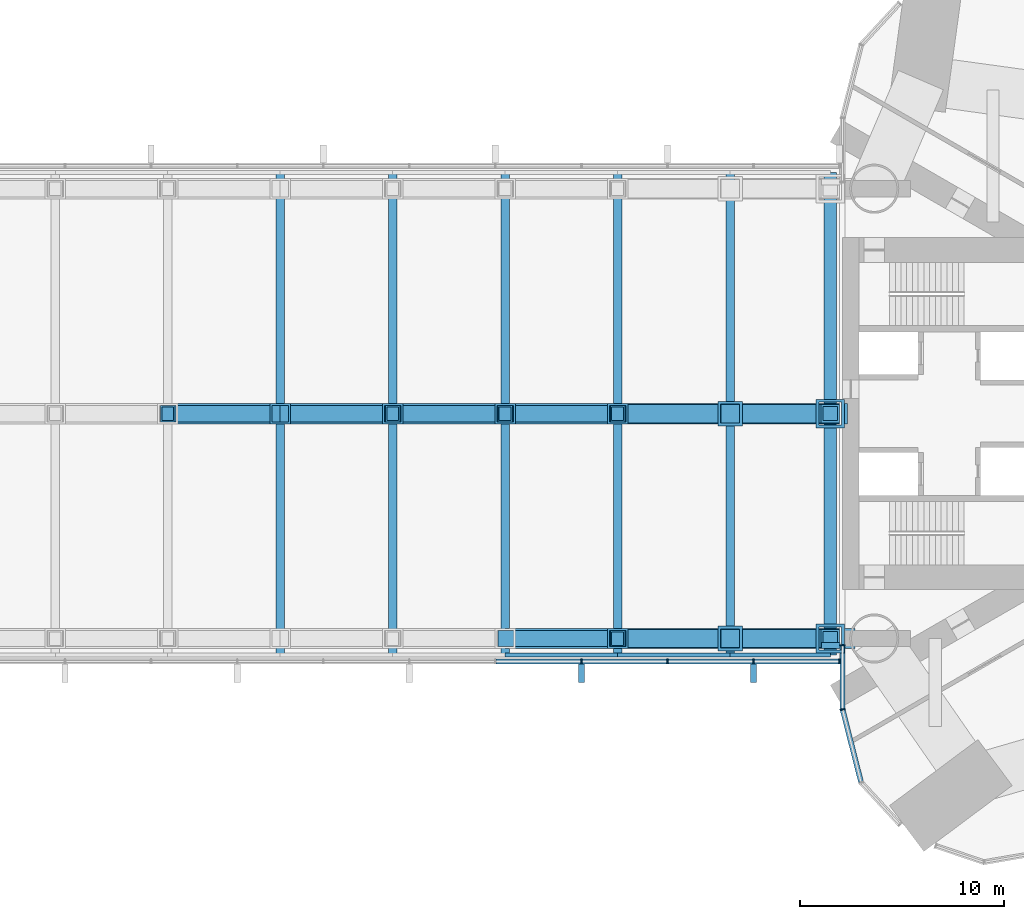
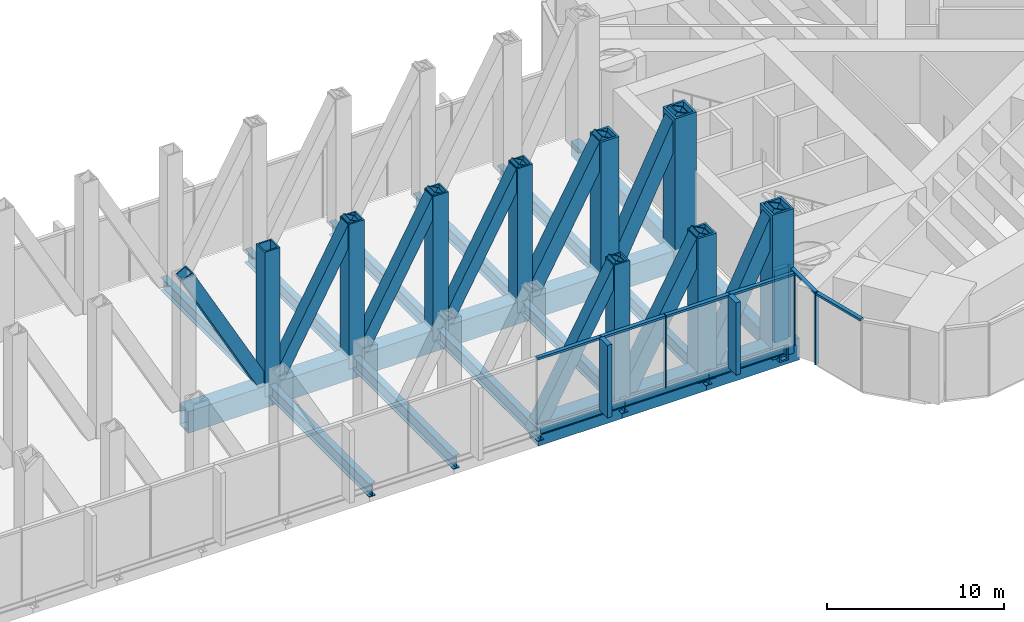
# One storey, part 8 of 21: 42 members, 15 beams, 2 elements without a shape of their own.
"""IFC4 building model written with IfcOpenShell, lengths in metres."""

from ifc_helpers import new_model, si_unit, direction, frame, origin, origin_2d, place, context, subcontext, project, spatial, rectangle, hollow_rectangle, i_section, extrude, material, material_profile, profile_set, type_object, element, aggregate, save


model = new_model("IFC4")

# Units and contexts
model_context = context("Model", 3, precision=1e-05, world=origin(), true_north=direction((0.0, 1.0)))
body_context = subcontext(model_context, "Body", "Model", "MODEL_VIEW")
ifc_project = project(units=[si_unit("LENGTHUNIT", "METRE"), si_unit("AREAUNIT", "SQUARE_METRE"), si_unit("VOLUMEUNIT", "CUBIC_METRE"), si_unit("PLANEANGLEUNIT", "RADIAN"), si_unit("MASSUNIT", "GRAM", prefix="KILO")], contexts=[model_context])

# Site, building, storey
site_placement = place(None, origin())
site = spatial("IfcSite", under=ifc_project, at=site_placement, CompositionType="ELEMENT")
building_placement = place(site_placement, origin())
building = spatial("IfcBuilding", under=site, at=building_placement, Name="Lancet Gate Hotel", CompositionType="ELEMENT")
storey_placement = place(building_placement, frame((0.0, 0.0, 205.300048828125)))
storey = spatial("IfcBuildingStorey", under=building, at=storey_placement, Name="L55", CompositionType="ELEMENT", Elevation=205.300048828125)

# Curtain wall, members
ifc_material_1 = material(Name="Aluminium curtain wall", Category="aluminium")
curtain_wall_type = type_object("IfcCurtainWallType", Name="Refuge storey louvred curtain wall", PredefinedType="USERDEFINED", material=ifc_material_1)
curtain_wall_1_placement = place(storey_placement, origin())
curtain_wall_1 = element("IfcCurtainWall", 1, at=curtain_wall_1_placement, inside=storey, type_object=curtain_wall_type, Name="T2 L55 curtain wall 1", ObjectType="LANTERN GLAZING", PredefinedType="USERDEFINED")
ifc_material_2 = material(Name="Aluminium mullion", Category="aluminium")
ifc_material_profile_1 = material_profile(ifc_material_2, rectangle(XDim=0.06494140625, YDim=0.25, at=origin_2d()), Name="MULLION 65x250")
ifc_profile_set_1 = profile_set([ifc_material_profile_1], Name="Aluminium mullion")
member_type_1 = type_object("IfcMemberType", Name="Aluminium mullion 65x250", PredefinedType="MULLION", material=ifc_profile_set_1)
member_1_placement = place(storey_placement, frame((27.5, -11.332763671875, 0.0), z_axis=(0.0, 0.0, 1.0), x_axis=(0.0, -1.0, 0.0)))
member_1 = element("IfcMember", 2, at=member_1_placement, type_object=member_type_1, Name="T2 L55 curtain wall 1 mullion 1", PredefinedType="MULLION", context=body_context, shape_type="SweptSolid", body=[
    extrude(rectangle(XDim=0.06494140625, YDim=0.25, at=origin_2d()), origin(), (0.0, 0.0, 1.0), 5.0),
])
member_2_placement = place(storey_placement, frame((27.5, -14.465576171875, 0.0), z_axis=(0.0, 0.0, 1.0), x_axis=(0.134206524909, -0.990953383703, 0.0)))
member_2 = element("IfcMember", 3, at=member_2_placement, type_object=member_type_1, Name="T2 L55 curtain wall 1 mullion 2", PredefinedType="MULLION", context=body_context, shape_type="SweptSolid", body=[
    extrude(rectangle(XDim=0.06494140625, YDim=0.25, at=origin_2d()), origin(), (0.0, 0.0, 1.0), 5.0),
])

curtain_wall_2_placement = place(storey_placement, origin())
curtain_wall_2 = element("IfcCurtainWall", 4, at=curtain_wall_2_placement, inside=storey, type_object=curtain_wall_type, Name="Bridge block L55 curtain wall S", ObjectType="LANTERN GLAZING", PredefinedType="USERDEFINED")
member_3_placement = place(storey_placement, frame((14.726806640625, -12.1201171875, 0.0), z_axis=(0.0, 0.0, 1.0), x_axis=(1.0, 0.0, 0.0)))
member_3 = element("IfcMember", 5, at=member_3_placement, type_object=member_type_1, Name="Bridge block L55 curtain wall S mullion 11", PredefinedType="MULLION", context=body_context, shape_type="SweptSolid", body=[
    extrude(rectangle(XDim=0.06494140625, YDim=0.25, at=origin_2d()), origin(), (0.0, 0.0, 1.0), 5.0),
])
member_4_placement = place(storey_placement, frame((18.9345703125, -12.1201171875, 0.0), z_axis=(0.0, 0.0, 1.0), x_axis=(1.0, 0.0, 0.0)))
member_4 = element("IfcMember", 6, at=member_4_placement, type_object=member_type_1, Name="Bridge block L55 curtain wall S mullion 12", PredefinedType="MULLION", context=body_context, shape_type="SweptSolid", body=[
    extrude(rectangle(XDim=0.06494140625, YDim=0.25, at=origin_2d()), origin(), (0.0, 0.0, 1.0), 5.0),
])
member_5_placement = place(storey_placement, frame((23.142333984375, -12.1201171875, 0.0), z_axis=(0.0, 0.0, 1.0), x_axis=(1.0, 0.0, 0.0)))
member_5 = element("IfcMember", 7, at=member_5_placement, type_object=member_type_1, Name="Bridge block L55 curtain wall S mullion 13", PredefinedType="MULLION", context=body_context, shape_type="SweptSolid", body=[
    extrude(rectangle(XDim=0.06494140625, YDim=0.25, at=origin_2d()), origin(), (0.0, 0.0, 1.0), 5.0),
])
member_6_placement = place(storey_placement, frame((27.35009765625, -12.1201171875, 0.0), z_axis=(0.0, 0.0, 1.0), x_axis=(1.0, 0.0, 0.0)))
member_6 = element("IfcMember", 8, at=member_6_placement, type_object=member_type_1, Name="Bridge block L55 curtain wall S mullion 14", PredefinedType="MULLION", context=body_context, shape_type="SweptSolid", body=[
    extrude(rectangle(XDim=0.06494140625, YDim=0.25, at=origin_2d()), origin(), (0.0, 0.0, 1.0), 5.0),
])

# Member
ifc_material_3 = material(Name="Aluminium transom", Category="aluminium")
ifc_material_profile_2 = material_profile(ifc_material_3, rectangle(XDim=0.25, YDim=0.14990234375, at=origin_2d()), Name="TRANSOM 250x150")
ifc_profile_set_2 = profile_set([ifc_material_profile_2], Name="Aluminium transom")
member_type_2 = type_object("IfcMemberType", Name="Aluminium transom 250x150", PredefinedType="USERDEFINED", material=ifc_profile_set_2)
member_7_placement = place(storey_placement, frame((27.5, -11.365234375, 4.925048828125), z_axis=(0.0, -1.0, 0.0), x_axis=(1.0, 0.0, 0.0)))
member_7 = element("IfcMember", 9, at=member_7_placement, type_object=member_type_2, Name="T2 L55 curtain wall 1 transom 1", ObjectType="TRANSOM", PredefinedType="USERDEFINED", context=body_context, shape_type="SweptSolid", body=[
    extrude(rectangle(XDim=0.25, YDim=0.14990234375, at=origin_2d()), origin(), (0.0, 0.0, 1.0), 3.06787109375),
])

member_8_placement = place(storey_placement, frame((27.508056640625, -14.4970703125, 4.925048828125), z_axis=(0.246128756616, -0.969237140831, 0.0), x_axis=(0.969237140831, 0.246128756616, 0.0)))
member_8 = element("IfcMember", 10, at=member_8_placement, type_object=member_type_2, Name="T2 L55 curtain wall 1 transom 2", ObjectType="TRANSOM", PredefinedType="USERDEFINED", context=body_context, shape_type="SweptSolid", body=[
    extrude(rectangle(XDim=0.25, YDim=0.14990234375, at=origin_2d()), origin(), (0.0, 0.0, 1.0), 3.62744140625),
])

member_9_placement = place(storey_placement, frame((10.5517578125, -12.1201171875, 4.925048828125), z_axis=(1.0, 0.0, 0.0), x_axis=(0.0, 1.0, 0.0)))
member_9 = element("IfcMember", 11, at=member_9_placement, type_object=member_type_2, Name="Bridge block L55 curtain wall S transom 10", ObjectType="TRANSOM", PredefinedType="USERDEFINED", context=body_context, shape_type="SweptSolid", body=[
    extrude(rectangle(XDim=0.25, YDim=0.14990234375, at=origin_2d()), origin(), (0.0, 0.0, 1.0), 4.142578125),
])

member_10_placement = place(storey_placement, frame((14.759521484375, -12.1201171875, 4.925048828125), z_axis=(1.0, 0.0, 0.0), x_axis=(0.0, 1.0, 0.0)))
member_10 = element("IfcMember", 12, at=member_10_placement, type_object=member_type_2, Name="Bridge block L55 curtain wall S transom 11", ObjectType="TRANSOM", PredefinedType="USERDEFINED", context=body_context, shape_type="SweptSolid", body=[
    extrude(rectangle(XDim=0.25, YDim=0.14990234375, at=origin_2d()), origin(), (0.0, 0.0, 1.0), 4.142578125),
])

member_11_placement = place(storey_placement, frame((18.967041015625, -12.1201171875, 4.925048828125), z_axis=(1.0, 0.0, 0.0), x_axis=(0.0, 1.0, 0.0)))
member_11 = element("IfcMember", 13, at=member_11_placement, type_object=member_type_2, Name="Bridge block L55 curtain wall S transom 12", ObjectType="TRANSOM", PredefinedType="USERDEFINED", context=body_context, shape_type="SweptSolid", body=[
    extrude(rectangle(XDim=0.25, YDim=0.14990234375, at=origin_2d()), origin(), (0.0, 0.0, 1.0), 4.142822265625),
])

member_12_placement = place(storey_placement, frame((23.1748046875, -12.1201171875, 4.925048828125), z_axis=(1.0, 0.0, 0.0), x_axis=(0.0, 1.0, 0.0)))
member_12 = element("IfcMember", 14, at=member_12_placement, type_object=member_type_2, Name="Bridge block L55 curtain wall S transom 13", ObjectType="TRANSOM", PredefinedType="USERDEFINED", context=body_context, shape_type="SweptSolid", body=[
    extrude(rectangle(XDim=0.25, YDim=0.14990234375, at=origin_2d()), origin(), (0.0, 0.0, 1.0), 4.142578125),
])

# Beams
ifc_material_4 = material(Name="Steel S355", Category="steel")
ifc_material_profile_3 = material_profile(ifc_material_4, i_section(OverallWidth=0.19140625, OverallDepth=0.4599609375, WebThickness=0.010009765625, FlangeThickness=0.01611328125, FilletRadius=0.01025390625, at=origin_2d()), Name="UKB 457x191x82")
ifc_profile_set_3 = profile_set([ifc_material_profile_3], Name="Steel S355")
beam_type_1 = type_object("IfcBeamType", Name="Block edge beam UKB 457x191x82", PredefinedType="SPANDREL", material=ifc_profile_set_3)
for number, where, z_axis, x_axis, name in (
    (15, (11.0, -11.800048828125, -0.429931640625), (1.0, 0.0, 0.0), (0.0, 1.0, 0.0), "Block edge beam S 7-8 L55"),
    (16, (16.5, -11.800048828125, -0.429931640625), (1.0, 0.0, 0.0), (0.0, 1.0, 0.0), "Block edge beam S 8-9 L55"),
):
    element("IfcBeam", number, at=place(storey_placement, frame(where, z_axis=z_axis, x_axis=x_axis)), inside=storey, type_object=beam_type_1, Name=name, PredefinedType="SPANDREL", context=body_context, shape_type="SweptSolid", body=[
        extrude(i_section(OverallWidth=0.19140625, OverallDepth=0.4599609375, WebThickness=0.010009765625, FlangeThickness=0.01611328125, FilletRadius=0.01025390625, at=origin_2d()), origin(), (0.0, 0.0, 1.0), 5.5),
    ])
beam_placement = place(storey_placement, frame((22.0, -11.800048828125, -0.429931640625), z_axis=(1.0, 0.0, 0.0), x_axis=(0.0, 1.0, 0.0)))
element("IfcBeam", 17, at=beam_placement, inside=storey, type_object=beam_type_1, Name="Block edge beam S 9-10 L55", PredefinedType="SPANDREL", context=body_context, shape_type="SweptSolid", body=[
    extrude(i_section(OverallWidth=0.19140625, OverallDepth=0.4599609375, WebThickness=0.010009765625, FlangeThickness=0.01611328125, FilletRadius=0.01025390625, at=origin_2d()), origin(), (0.0, 0.0, 1.0), 4.89990234375),
])
ifc_material_5 = material(Name="Steel S460QL", Category="steel")
ifc_material_profile_4 = material_profile(ifc_material_5, hollow_rectangle(XDim=0.60009765625, YDim=1.0, WallThickness=0.10009765625, at=origin_2d()), Name="BOX 1000x600x100")
ifc_profile_set_4 = profile_set([ifc_material_profile_4], Name="Steel S460QL")
beam_type_2 = type_object("IfcBeamType", Name="Block end beam BOX 1000x600x100", PredefinedType="BEAM", material=ifc_profile_set_4)
for number, where, z_axis, x_axis, name in (
    (18, (26.89990234375, -11.800048828125, -0.699951171875), (0.0, 1.0, 0.0), (-1.0, 0.0, 0.0), "Block beam x10 S L55"),
    (19, (26.89990234375, 0.0, -0.699951171875), (0.0, 1.0, 0.0), (-1.0, 0.0, 0.0), "Block beam x10 N L55"),
):
    element("IfcBeam", number, at=place(storey_placement, frame(where, z_axis=z_axis, x_axis=x_axis)), inside=storey, type_object=beam_type_2, Name=name, PredefinedType="BEAM", context=body_context, shape_type="SweptSolid", body=[
        extrude(hollow_rectangle(XDim=0.60009765625, YDim=1.0, WallThickness=0.10009765625, at=origin_2d()), origin(), (0.0, 0.0, 1.0), 11.800048828125),
    ])
ifc_material_6 = material(Name="Steel S355", Category="steel")
ifc_material_profile_5 = material_profile(ifc_material_6, i_section(OverallWidth=0.42041015625, OverallDepth=0.9208984375, WebThickness=0.021484375, FlangeThickness=0.03662109375, FilletRadius=0.024169921875, at=origin_2d()), Name="UKB 914x419x388")
ifc_profile_set_5 = profile_set([ifc_material_profile_5], Name="Steel S355")
beam_type_3 = type_object("IfcBeamType", Name="Block plant floor beam UKB 914x419x388", PredefinedType="JOIST", material=ifc_profile_set_5)
for number, where, z_axis, x_axis, name in (
    (20, (0.0, -11.800048828125, -0.66064453125), (0.0, 1.0, 0.0), (-1.0, 0.0, 0.0), "Block beam x5 S L55"),
    (21, (0.0, 0.0, -0.66064453125), (0.0, 1.0, 0.0), (-1.0, 0.0, 0.0), "Block beam x5 N L55"),
    (22, (5.5, -11.800048828125, -0.66064453125), (0.0, 1.0, 0.0), (-1.0, 0.0, 0.0), "Block beam x6 S L55"),
    (23, (5.5, 0.0, -0.66064453125), (0.0, 1.0, 0.0), (-1.0, 0.0, 0.0), "Block beam x6 N L55"),
    (24, (11.0, -11.800048828125, -0.66064453125), (0.0, 1.0, 0.0), (-1.0, 0.0, 0.0), "Block beam x7 S L55"),
    (25, (11.0, 0.0, -0.66064453125), (0.0, 1.0, 0.0), (-1.0, 0.0, 0.0), "Block beam x7 N L55"),
    (26, (16.5, -11.800048828125, -0.66064453125), (0.0, 1.0, 0.0), (-1.0, 0.0, 0.0), "Block beam x8 S L55"),
    (27, (16.5, 0.0, -0.66064453125), (0.0, 1.0, 0.0), (-1.0, 0.0, 0.0), "Block beam x8 N L55"),
    (28, (22.0, -11.800048828125, -0.66064453125), (0.0, 1.0, 0.0), (-1.0, 0.0, 0.0), "Block beam x9 S L55"),
    (29, (22.0, 0.0, -0.66064453125), (0.0, 1.0, 0.0), (-1.0, 0.0, 0.0), "Block beam x9 N L55"),
):
    element("IfcBeam", number, at=place(storey_placement, frame(where, z_axis=z_axis, x_axis=x_axis)), inside=storey, type_object=beam_type_3, Name=name, PredefinedType="JOIST", context=body_context, shape_type="SweptSolid", body=[
        extrude(i_section(OverallWidth=0.42041015625, OverallDepth=0.9208984375, WebThickness=0.021484375, FlangeThickness=0.03662109375, FilletRadius=0.024169921875, at=origin_2d()), origin(), (0.0, 0.0, 1.0), 11.800048828125),
    ])

# Member
ifc_material_7 = material(Name="Precast concrete C50/60", Category="concrete")
ifc_material_profile_6 = material_profile(ifc_material_7, rectangle(XDim=0.300048828125, YDim=0.89990234375, at=origin_2d()), Name="FIN 300x900")
ifc_profile_set_6 = profile_set([ifc_material_profile_6], Name="Precast concrete C50/60")
member_type_3 = type_object("IfcMemberType", Name="Exposed concrete fin 300x900", PredefinedType="USERDEFINED", material=ifc_profile_set_6)
member_13_placement = place(storey_placement, frame((26.925048828125, -11.332763671875, 0.0), z_axis=(0.0, 0.0, 1.0), x_axis=(0.0, -1.0, 0.0)))
member_13 = element("IfcMember", 30, at=member_13_placement, type_object=member_type_3, Name="T2 L55 curtain wall 1 fin 1", ObjectType="FIN", PredefinedType="USERDEFINED", context=body_context, shape_type="SweptSolid", body=[
    extrude(rectangle(XDim=0.300048828125, YDim=0.89990234375, at=origin_2d()), origin(), (0.0, 0.0, 1.0), 5.0),
])

aggregate(curtain_wall_1, [member_1, member_13, member_2, member_7, member_8])

member_14_placement = place(storey_placement, frame((14.726806640625, -12.695068359375, 0.0), z_axis=(0.0, 0.0, 1.0), x_axis=(1.0, 0.0, 0.0)))
member_14 = element("IfcMember", 31, at=member_14_placement, type_object=member_type_3, Name="Bridge block L55 curtain wall S fin 11", ObjectType="FIN", PredefinedType="USERDEFINED", context=body_context, shape_type="SweptSolid", body=[
    extrude(rectangle(XDim=0.300048828125, YDim=0.89990234375, at=origin_2d()), origin(), (0.0, 0.0, 1.0), 5.0),
])

member_15_placement = place(storey_placement, frame((23.142333984375, -12.695068359375, 0.0), z_axis=(0.0, 0.0, 1.0), x_axis=(1.0, 0.0, 0.0)))
member_15 = element("IfcMember", 32, at=member_15_placement, type_object=member_type_3, Name="Bridge block L55 curtain wall S fin 13", ObjectType="FIN", PredefinedType="USERDEFINED", context=body_context, shape_type="SweptSolid", body=[
    extrude(rectangle(XDim=0.300048828125, YDim=0.89990234375, at=origin_2d()), origin(), (0.0, 0.0, 1.0), 5.0),
])

aggregate(curtain_wall_2, [member_3, member_14, member_4, member_5, member_15, member_6, member_9, member_10, member_11, member_12])

# Members
ifc_material_8 = material(Name="Steel S460QL", Category="steel")
ifc_material_profile_7 = material_profile(ifc_material_8, hollow_rectangle(XDim=1.0, YDim=1.5, WallThickness=0.14990234375, at=origin_2d()), Name="BOX 1500x1000x150")
ifc_profile_set_7 = profile_set([ifc_material_profile_7], Name="Steel S460QL")
member_type_4 = type_object("IfcMemberType", Name="Truss bottom chord BOX 1500x1000x150", PredefinedType="CHORD", material=ifc_profile_set_7)
for number, where, z_axis, x_axis, name in (
    (33, (11.0, -11.0, -0.949951171875), (1.0, 0.0, 0.0), (0.0, 1.0, 0.0), "Truss S bottom chord panel 8"),
    (34, (16.5, -11.0, -0.949951171875), (1.0, 0.0, 0.0), (0.0, 1.0, 0.0), "Truss S bottom chord panel 9"),
):
    element("IfcMember", number, at=place(storey_placement, frame(where, z_axis=z_axis, x_axis=x_axis)), inside=storey, type_object=member_type_4, Name=name, PredefinedType="CHORD", context=body_context, shape_type="SweptSolid", body=[
        extrude(hollow_rectangle(XDim=1.0, YDim=1.5, WallThickness=0.14990234375, at=origin_2d()), origin(), (0.0, 0.0, 1.0), 5.5),
    ])
member_16_placement = place(storey_placement, frame((22.0, -11.0, -0.949951171875), z_axis=(1.0, 0.0, 0.0), x_axis=(0.0, 1.0, 0.0)))
element("IfcMember", 35, at=member_16_placement, inside=storey, type_object=member_type_4, Name="Truss S bottom chord panel 10", PredefinedType="CHORD", context=body_context, shape_type="SweptSolid", body=[
    extrude(hollow_rectangle(XDim=1.0, YDim=1.5, WallThickness=0.14990234375, at=origin_2d()), origin(), (0.0, 0.0, 1.0), 6.10009765625),
])
for number, where, z_axis, x_axis, name in (
    (36, (-5.5, 0.0, -0.949951171875), (1.0, 0.0, 0.0), (0.0, 1.0, 0.0), "Truss M bottom chord panel 5"),
    (37, (0.0, 0.0, -0.949951171875), (1.0, 0.0, 0.0), (0.0, 1.0, 0.0), "Truss M bottom chord panel 6"),
    (38, (5.5, 0.0, -0.949951171875), (1.0, 0.0, 0.0), (0.0, 1.0, 0.0), "Truss M bottom chord panel 7"),
    (39, (11.0, 0.0, -0.949951171875), (1.0, 0.0, 0.0), (0.0, 1.0, 0.0), "Truss M bottom chord panel 8"),
    (40, (16.5, 0.0, -0.949951171875), (1.0, 0.0, 0.0), (0.0, 1.0, 0.0), "Truss M bottom chord panel 9"),
):
    element("IfcMember", number, at=place(storey_placement, frame(where, z_axis=z_axis, x_axis=x_axis)), inside=storey, type_object=member_type_4, Name=name, PredefinedType="CHORD", context=body_context, shape_type="SweptSolid", body=[
        extrude(hollow_rectangle(XDim=1.0, YDim=1.5, WallThickness=0.14990234375, at=origin_2d()), origin(), (0.0, 0.0, 1.0), 5.5),
    ])
member_17_placement = place(storey_placement, frame((22.0, 0.0, -0.949951171875), z_axis=(1.0, 0.0, 0.0), x_axis=(0.0, 1.0, 0.0)))
element("IfcMember", 41, at=member_17_placement, inside=storey, type_object=member_type_4, Name="Truss M bottom chord panel 10", PredefinedType="CHORD", context=body_context, shape_type="SweptSolid", body=[
    extrude(hollow_rectangle(XDim=1.0, YDim=1.5, WallThickness=0.14990234375, at=origin_2d()), origin(), (0.0, 0.0, 1.0), 5.75),
])
ifc_material_9 = material(Name="Steel S460QL", Category="steel")
ifc_material_profile_8 = material_profile(ifc_material_9, hollow_rectangle(XDim=0.89990234375, YDim=1.0, WallThickness=0.10009765625, at=origin_2d()), Name="BOX 1000x900x100")
ifc_profile_set_8 = profile_set([ifc_material_profile_8], Name="Steel S460QL")
member_type_5 = type_object("IfcMemberType", Name="Truss diagonal BOX 1000x900x100", PredefinedType="BRACE", material=ifc_profile_set_8)
member_18_placement = place(storey_placement, frame((22.0, -11.0, 9.050048828125), z_axis=(-0.481918749772, 0.0, -0.876215908677), x_axis=(0.0, -1.0, 0.0)))
element("IfcMember", 42, at=member_18_placement, inside=storey, type_object=member_type_5, Name="Truss S diagonal panel 9", PredefinedType="BRACE", context=body_context, shape_type="SweptSolid", body=[
    extrude(hollow_rectangle(XDim=0.89990234375, YDim=1.0, WallThickness=0.10009765625, at=origin_2d()), origin(), (0.0, 0.0, 1.0), 11.41259765625),
])
member_19_placement = place(storey_placement, frame((26.89990234375, -11.0, 9.050048828125), z_axis=(-0.440008176176, 0.0, -0.897993766625), x_axis=(0.0, -1.0, 0.0)))
element("IfcMember", 43, at=member_19_placement, inside=storey, type_object=member_type_5, Name="Truss S diagonal panel 10", PredefinedType="BRACE", context=body_context, shape_type="SweptSolid", body=[
    extrude(hollow_rectangle(XDim=0.89990234375, YDim=1.0, WallThickness=0.10009765625, at=origin_2d()), origin(), (0.0, 0.0, 1.0), 11.135986328125),
])
member_20_placement = place(storey_placement, frame((22.0, 0.0, 9.050048828125), z_axis=(-0.481918749772, 0.0, -0.876215908677), x_axis=(0.0, -1.0, 0.0)))
element("IfcMember", 44, at=member_20_placement, inside=storey, type_object=member_type_5, Name="Truss M diagonal panel 9", PredefinedType="BRACE", context=body_context, shape_type="SweptSolid", body=[
    extrude(hollow_rectangle(XDim=0.89990234375, YDim=1.0, WallThickness=0.10009765625, at=origin_2d()), origin(), (0.0, 0.0, 1.0), 11.41259765625),
])
member_21_placement = place(storey_placement, frame((26.89990234375, 0.0, 9.050048828125), z_axis=(-0.440008176176, 0.0, -0.897993766625), x_axis=(0.0, -1.0, 0.0)))
element("IfcMember", 45, at=member_21_placement, inside=storey, type_object=member_type_5, Name="Truss M diagonal panel 10", PredefinedType="BRACE", context=body_context, shape_type="SweptSolid", body=[
    extrude(hollow_rectangle(XDim=0.89990234375, YDim=1.0, WallThickness=0.10009765625, at=origin_2d()), origin(), (0.0, 0.0, 1.0), 11.135986328125),
])
ifc_material_10 = material(Name="Steel S460QL", Category="steel")
ifc_material_profile_9 = material_profile(ifc_material_10, hollow_rectangle(XDim=0.800048828125, YDim=0.800048828125, WallThickness=0.070068359375, at=origin_2d()), Name="BOX 800x800x70")
ifc_profile_set_9 = profile_set([ifc_material_profile_9], Name="Steel S460QL")
member_type_6 = type_object("IfcMemberType", Name="Truss diagonal BOX 800x800x70", PredefinedType="BRACE", material=ifc_profile_set_9)
for number, where, z_axis, x_axis, name in (
    (46, (16.5, -11.0, 9.050048828125), (-0.481918749772, 0.0, -0.876215908677), (0.0, -1.0, 0.0), "Truss S diagonal panel 8"),
    (47, (-5.5, 0.0, 9.050048828125), (0.481918749772, 0.0, -0.876215908677), (0.0, 1.0, 0.0), "Truss M diagonal panel 5"),
    (48, (5.5, 0.0, 9.050048828125), (-0.481918749772, 0.0, -0.876215908677), (0.0, -1.0, 0.0), "Truss M diagonal panel 6"),
    (49, (11.0, 0.0, 9.050048828125), (-0.481918749772, 0.0, -0.876215908677), (0.0, -1.0, 0.0), "Truss M diagonal panel 7"),
    (50, (16.5, 0.0, 9.050048828125), (-0.481918749772, 0.0, -0.876215908677), (0.0, -1.0, 0.0), "Truss M diagonal panel 8"),
):
    element("IfcMember", number, at=place(storey_placement, frame(where, z_axis=z_axis, x_axis=x_axis)), inside=storey, type_object=member_type_6, Name=name, PredefinedType="BRACE", context=body_context, shape_type="SweptSolid", body=[
        extrude(hollow_rectangle(XDim=0.800048828125, YDim=0.800048828125, WallThickness=0.070068359375, at=origin_2d()), origin(), (0.0, 0.0, 1.0), 11.41259765625),
    ])
ifc_material_11 = material(Name="Steel S460QL", Category="steel")
ifc_material_profile_10 = material_profile(ifc_material_11, hollow_rectangle(XDim=1.39990234375, YDim=1.39990234375, WallThickness=0.139892578125, at=origin_2d()), Name="BOX 1400x1400x140")
ifc_profile_set_10 = profile_set([ifc_material_profile_10], Name="Steel S460QL")
member_type_7 = type_object("IfcMemberType", Name="Truss end post BOX 1400x1400x140", PredefinedType="POST", material=ifc_profile_set_10)
for number, where, z_axis, x_axis, name in (
    (51, (26.89990234375, -11.0, -0.949951171875), (0.0, 0.0, 1.0), (1.0, 0.0, 0.0), "Truss S post 10"),
    (52, (26.89990234375, 0.0, -0.949951171875), (0.0, 0.0, 1.0), (1.0, 0.0, 0.0), "Truss M post 10"),
):
    element("IfcMember", number, at=place(storey_placement, frame(where, z_axis=z_axis, x_axis=x_axis)), inside=storey, type_object=member_type_7, Name=name, PredefinedType="POST", context=body_context, shape_type="SweptSolid", body=[
        extrude(hollow_rectangle(XDim=1.39990234375, YDim=1.39990234375, WallThickness=0.139892578125, at=origin_2d()), origin(), (0.0, 0.0, 1.0), 10.0),
    ])
ifc_material_12 = material(Name="Steel S460QL", Category="steel")
ifc_material_profile_11 = material_profile(ifc_material_12, hollow_rectangle(XDim=1.0, YDim=1.0, WallThickness=0.10009765625, at=origin_2d()), Name="BOX 1000x1000x100")
ifc_profile_set_11 = profile_set([ifc_material_profile_11], Name="Steel S460QL")
member_type_8 = type_object("IfcMemberType", Name="Truss post BOX 1000x1000x100", PredefinedType="POST", material=ifc_profile_set_11)
for number, where, z_axis, x_axis, name in (
    (53, (16.5, -11.0, -0.949951171875), (0.0, 0.0, 1.0), (1.0, 0.0, 0.0), "Truss S post 8"),
    (54, (0.0, 0.0, -0.949951171875), (0.0, 0.0, 1.0), (1.0, 0.0, 0.0), "Truss M post 5"),
    (55, (5.5, 0.0, -0.949951171875), (0.0, 0.0, 1.0), (1.0, 0.0, 0.0), "Truss M post 6"),
    (56, (11.0, 0.0, -0.949951171875), (0.0, 0.0, 1.0), (1.0, 0.0, 0.0), "Truss M post 7"),
    (57, (16.5, 0.0, -0.949951171875), (0.0, 0.0, 1.0), (1.0, 0.0, 0.0), "Truss M post 8"),
):
    element("IfcMember", number, at=place(storey_placement, frame(where, z_axis=z_axis, x_axis=x_axis)), inside=storey, type_object=member_type_8, Name=name, PredefinedType="POST", context=body_context, shape_type="SweptSolid", body=[
        extrude(hollow_rectangle(XDim=1.0, YDim=1.0, WallThickness=0.10009765625, at=origin_2d()), origin(), (0.0, 0.0, 1.0), 10.0),
    ])
ifc_material_13 = material(Name="Steel S460QL", Category="steel")
ifc_material_profile_12 = material_profile(ifc_material_13, hollow_rectangle(XDim=1.199951171875, YDim=1.199951171875, WallThickness=0.139892578125, at=origin_2d()), Name="BOX 1200x1200x140")
ifc_profile_set_12 = profile_set([ifc_material_profile_12], Name="Steel S460QL")
member_type_9 = type_object("IfcMemberType", Name="Truss post BOX 1200x1200x140", PredefinedType="POST", material=ifc_profile_set_12)
for number, where, z_axis, x_axis, name in (
    (58, (22.0, -11.0, -0.949951171875), (0.0, 0.0, 1.0), (1.0, 0.0, 0.0), "Truss S post 9"),
    (59, (22.0, 0.0, -0.949951171875), (0.0, 0.0, 1.0), (1.0, 0.0, 0.0), "Truss M post 9"),
):
    element("IfcMember", number, at=place(storey_placement, frame(where, z_axis=z_axis, x_axis=x_axis)), inside=storey, type_object=member_type_9, Name=name, PredefinedType="POST", context=body_context, shape_type="SweptSolid", body=[
        extrude(hollow_rectangle(XDim=1.199951171875, YDim=1.199951171875, WallThickness=0.139892578125, at=origin_2d()), origin(), (0.0, 0.0, 1.0), 10.0),
    ])

save(model, "model.ifc")
